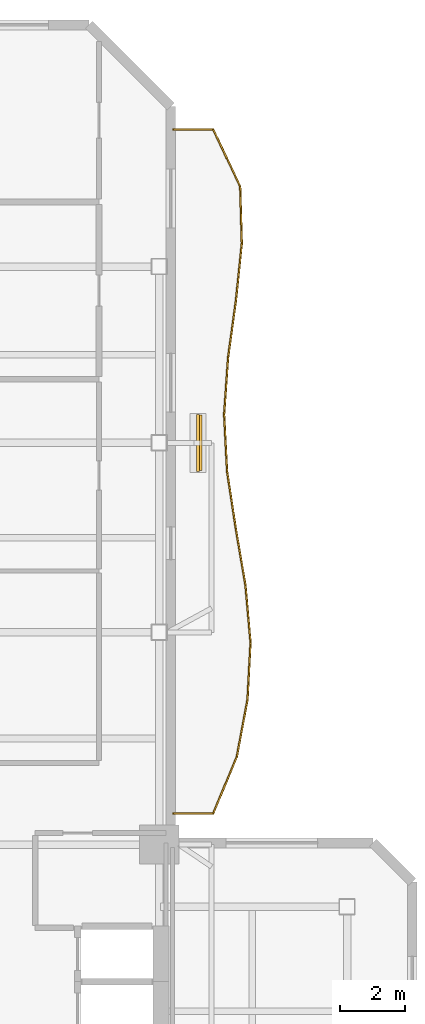
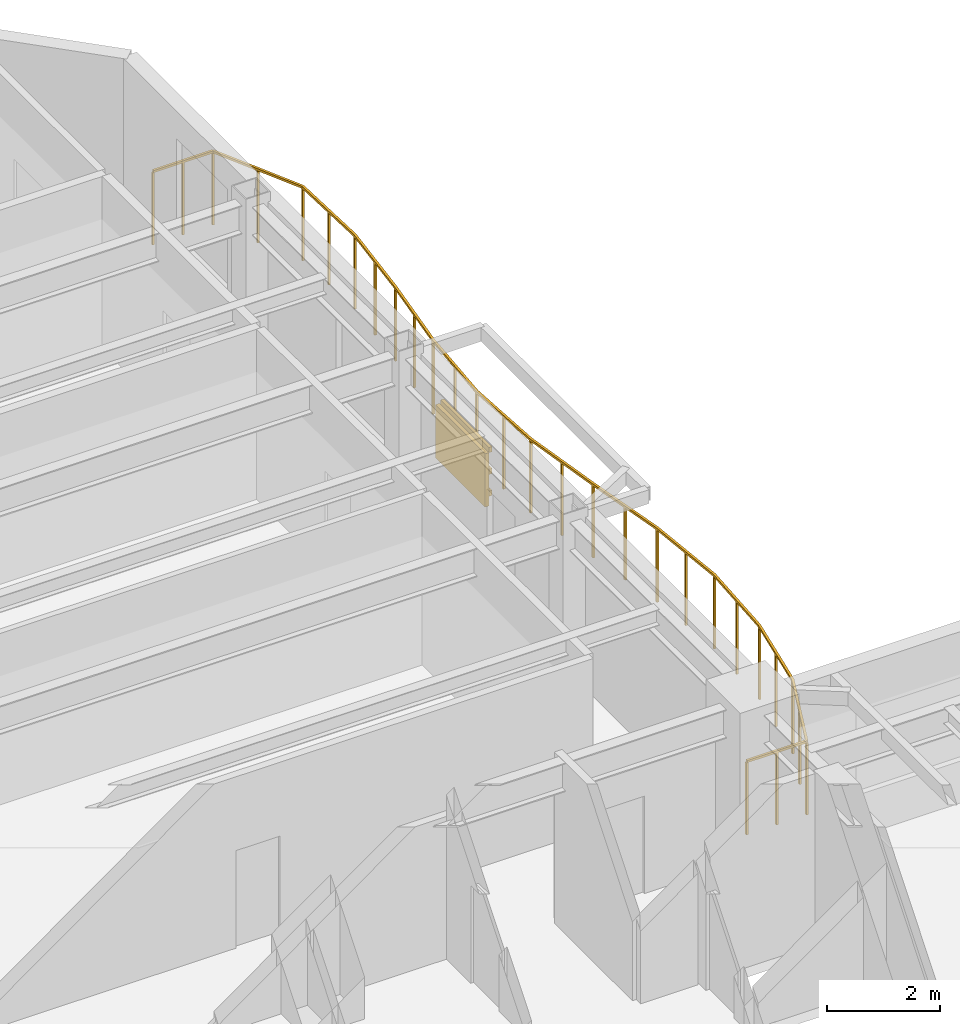
# One storey, part 9 of 9: 4 shading devices, 1 railing.
"""IFC4 building model written with IfcOpenShell, lengths in metres."""

from ifc_helpers import new_model, si_unit, direction, frame, origin, origin_2d, place, context, subcontext, project, spatial, rectangle, extrude, material, layer, layer_set, material_profile, profile_set, type_object, element, save


model = new_model("IFC4")

# Units and contexts
model_context = context("Model", 3, precision=1e-05, world=origin(), true_north=direction((0.0, 1.0)))
body_context = subcontext(model_context, "Body", "Model", "MODEL_VIEW")
ifc_project = project(units=[si_unit("LENGTHUNIT", "METRE"), si_unit("AREAUNIT", "SQUARE_METRE"), si_unit("VOLUMEUNIT", "CUBIC_METRE"), si_unit("PLANEANGLEUNIT", "RADIAN"), si_unit("MASSUNIT", "GRAM", prefix="KILO")], contexts=[model_context])

# Site, building, storey
site_placement = place(None, origin())
site = spatial("IfcSite", under=ifc_project, at=site_placement, CompositionType="ELEMENT")
building_placement = place(site_placement, origin())
building = spatial("IfcBuilding", under=site, at=building_placement, Name="Mawjaban Terraces University", CompositionType="ELEMENT")
storey_placement = place(building_placement, frame((0.0, 0.0, 154.10009765625)))
storey = spatial("IfcBuildingStorey", under=building, at=storey_placement, Name="L37", CompositionType="ELEMENT", Elevation=154.10009765625)

# Railing
ifc_material_1 = material(Name="Galvanised powder-coated steel S355", Category="steel")
railing_type = type_object("IfcRailingType", Name="BalconyBalustrade_1600", PredefinedType="BALUSTRADE", material=ifc_material_1)
railing_placement = place(storey_placement, frame((38.080078125, 24.449951171875, 0.0)))
element("IfcRailing", 1, at=railing_placement, inside=storey, type_object=railing_type, Name="L37 Balcony Guardrail inner_east", PredefinedType="BALUSTRADE", context=body_context, shape_type="SweptSolid", body=[
    extrude(rectangle(XDim=0.048095703125, YDim=0.048095703125, at=origin_2d()), frame((0.0, 0.0, 1.576171875), z_axis=(1.0, 0.0, 0.0), x_axis=(0.0, 1.0, 0.0)), (0.0, 0.0, 1.0), 1.219970703125),
    extrude(rectangle(XDim=0.048095703125, YDim=0.048095703125, at=origin_2d()), frame((1.219970703125, 0.0, 1.576171875), z_axis=(0.383404690816, 0.92358044753, 0.0), x_axis=(-0.92358044753, 0.383404690816, 0.0)), (0.0, 0.0, 1.0), 1.890625),
    extrude(rectangle(XDim=0.048095703125, YDim=0.048095703125, at=origin_2d()), frame((1.94482421875, 1.74609375, 1.576171875), z_axis=(0.183649426798, 0.982991804664, 0.0), x_axis=(-0.982991804664, 0.183649426798, 0.0)), (0.0, 0.0, 1.0), 1.776123046875),
    extrude(rectangle(XDim=0.048095703125, YDim=0.048095703125, at=origin_2d()), frame((2.27099609375, 3.491943359375, 1.576171875), z_axis=(0.053196382923, 0.998584069993, 0.0), x_axis=(-0.998584069993, 0.053196382923, 0.0)), (0.0, 0.0, 1.0), 1.74853515625),
    extrude(rectangle(XDim=0.048095703125, YDim=0.048095703125, at=origin_2d()), frame((2.364013671875, 5.238037109375, 1.576171875), z_axis=(-0.088487559333, 0.996077282064, 0.0), x_axis=(-0.996077282064, -0.088487559333, 0.0)), (0.0, 0.0, 1.0), 1.751953125),
    extrude(rectangle(XDim=0.048095703125, YDim=0.048095703125, at=origin_2d()), frame((2.208984375, 6.983154296875, 1.576171875), z_axis=(-0.167773692862, 0.985825536281, 0.0), x_axis=(-0.985825536281, -0.167773692862, 0.0)), (0.0, 0.0, 1.0), 1.77099609375),
    extrude(rectangle(XDim=0.048095703125, YDim=0.048095703125, at=origin_2d()), frame((1.911865234375, 8.72900390625, 1.576171875), z_axis=(-0.150530104658, 0.988605425633, 0.0), x_axis=(-0.988605425633, -0.150530104658, 0.0)), (0.0, 0.0, 1.0), 1.76611328125),
    extrude(rectangle(XDim=0.048095703125, YDim=0.048095703125, at=origin_2d()), frame((1.64599609375, 10.47509765625, 1.576171875), z_axis=(-0.052089724301, 0.998642408784, 0.0), x_axis=(-0.998642408784, -0.052089724301, 0.0)), (0.0, 0.0, 1.0), 1.748291015625),
    extrude(rectangle(XDim=0.048095703125, YDim=0.048095703125, at=origin_2d()), frame((1.554931640625, 12.220947265625, 1.576171875), z_axis=(0.069740295124, 0.997565181447, 0.0), x_axis=(-0.997565181447, 0.069740295124, 0.0)), (0.0, 0.0, 1.0), 1.750244140625),
    extrude(rectangle(XDim=0.048095703125, YDim=0.048095703125, at=origin_2d()), frame((1.677001953125, 13.967041015625, 1.576171875), z_axis=(0.136238743925, 0.990676034157, 0.0), x_axis=(-0.990676034157, 0.136238743925, 0.0)), (0.0, 0.0, 1.0), 1.761474609375),
    extrude(rectangle(XDim=0.048095703125, YDim=0.048095703125, at=origin_2d()), frame((1.9169921875, 15.712158203125, 1.576171875), z_axis=(0.102519472147, 0.994730997723, 0.0), x_axis=(-0.994730997723, 0.102519472147, 0.0)), (0.0, 0.0, 1.0), 1.755126953125),
    extrude(rectangle(XDim=0.048095703125, YDim=0.048095703125, at=origin_2d()), frame((2.096923828125, 17.4580078125, 1.576171875), z_axis=(-0.029210125599, 0.999573293242, 0.0), x_axis=(-0.999573293242, -0.029210125599, 0.0)), (0.0, 0.0, 1.0), 1.746826171875),
    extrude(rectangle(XDim=0.048095703125, YDim=0.048095703125, at=origin_2d()), frame((2.0458984375, 19.2041015625, 1.576171875), z_axis=(-0.427640716253, 0.903948791582, 0.0), x_axis=(-0.903948791582, -0.427640716253, 0.0)), (0.0, 0.0, 1.0), 1.931396484375),
    extrude(rectangle(XDim=0.048095703125, YDim=0.048095703125, at=origin_2d()), frame((1.219970703125, 20.949951171875, 1.576171875), z_axis=(-1.0, 0.0, 0.0), x_axis=(0.0, -1.0, 0.0)), (0.0, 0.0, 1.0), 1.219970703125),
    extrude(rectangle(XDim=0.0419921875, YDim=0.0419921875, at=origin_2d()), origin(), (0.0, 0.0, 1.0), 1.552001953125),
    extrude(rectangle(XDim=0.0419921875, YDim=0.0419921875, at=origin_2d()), frame((0.60986328125, 0.0, 0.0)), (0.0, 0.0, 1.0), 1.552001953125),
    extrude(rectangle(XDim=0.0419921875, YDim=0.0419921875, at=origin_2d()), frame((1.219970703125, 0.0, 0.0)), (0.0, 0.0, 1.0), 1.552001953125),
    extrude(rectangle(XDim=0.0419921875, YDim=0.0419921875, at=origin_2d()), frame((1.58251953125, 0.873046875, 0.0)), (0.0, 0.0, 1.0), 1.552001953125),
    extrude(rectangle(XDim=0.0419921875, YDim=0.0419921875, at=origin_2d()), frame((1.94482421875, 1.74609375, 0.0)), (0.0, 0.0, 1.0), 1.552001953125),
    extrude(rectangle(XDim=0.0419921875, YDim=0.0419921875, at=origin_2d()), frame((2.10791015625, 2.619140625, 0.0)), (0.0, 0.0, 1.0), 1.552001953125),
    extrude(rectangle(XDim=0.0419921875, YDim=0.0419921875, at=origin_2d()), frame((2.27099609375, 3.491943359375, 0.0)), (0.0, 0.0, 1.0), 1.552001953125),
    extrude(rectangle(XDim=0.0419921875, YDim=0.0419921875, at=origin_2d()), frame((2.3173828125, 4.364990234375, 0.0)), (0.0, 0.0, 1.0), 1.552001953125),
    extrude(rectangle(XDim=0.0419921875, YDim=0.0419921875, at=origin_2d()), frame((2.364013671875, 5.238037109375, 0.0)), (0.0, 0.0, 1.0), 1.552001953125),
    extrude(rectangle(XDim=0.0419921875, YDim=0.0419921875, at=origin_2d()), frame((2.28662109375, 6.110595703125, 0.0)), (0.0, 0.0, 1.0), 1.552001953125),
    extrude(rectangle(XDim=0.0419921875, YDim=0.0419921875, at=origin_2d()), frame((2.208984375, 6.983154296875, 0.0)), (0.0, 0.0, 1.0), 1.552001953125),
    extrude(rectangle(XDim=0.0419921875, YDim=0.0419921875, at=origin_2d()), frame((2.060546875, 7.85595703125, 0.0)), (0.0, 0.0, 1.0), 1.552001953125),
    extrude(rectangle(XDim=0.0419921875, YDim=0.0419921875, at=origin_2d()), frame((1.911865234375, 8.72900390625, 0.0)), (0.0, 0.0, 1.0), 1.552001953125),
    extrude(rectangle(XDim=0.0419921875, YDim=0.0419921875, at=origin_2d()), frame((1.77880859375, 9.60205078125, 0.0)), (0.0, 0.0, 1.0), 1.552001953125),
    extrude(rectangle(XDim=0.0419921875, YDim=0.0419921875, at=origin_2d()), frame((1.64599609375, 10.47509765625, 0.0)), (0.0, 0.0, 1.0), 1.552001953125),
    extrude(rectangle(XDim=0.0419921875, YDim=0.0419921875, at=origin_2d()), frame((1.6005859375, 11.34814453125, 0.0)), (0.0, 0.0, 1.0), 1.552001953125),
    extrude(rectangle(XDim=0.0419921875, YDim=0.0419921875, at=origin_2d()), frame((1.554931640625, 12.220947265625, 0.0)), (0.0, 0.0, 1.0), 1.552001953125),
    extrude(rectangle(XDim=0.0419921875, YDim=0.0419921875, at=origin_2d()), frame((1.615966796875, 13.093994140625, 0.0)), (0.0, 0.0, 1.0), 1.552001953125),
    extrude(rectangle(XDim=0.0419921875, YDim=0.0419921875, at=origin_2d()), frame((1.677001953125, 13.967041015625, 0.0)), (0.0, 0.0, 1.0), 1.552001953125),
    extrude(rectangle(XDim=0.0419921875, YDim=0.0419921875, at=origin_2d()), frame((1.796875, 14.839599609375, 0.0)), (0.0, 0.0, 1.0), 1.552001953125),
    extrude(rectangle(XDim=0.0419921875, YDim=0.0419921875, at=origin_2d()), frame((1.9169921875, 15.712158203125, 0.0)), (0.0, 0.0, 1.0), 1.552001953125),
    extrude(rectangle(XDim=0.0419921875, YDim=0.0419921875, at=origin_2d()), frame((2.0068359375, 16.5849609375, 0.0)), (0.0, 0.0, 1.0), 1.552001953125),
    extrude(rectangle(XDim=0.0419921875, YDim=0.0419921875, at=origin_2d()), frame((2.096923828125, 17.4580078125, 0.0)), (0.0, 0.0, 1.0), 1.552001953125),
    extrude(rectangle(XDim=0.0419921875, YDim=0.0419921875, at=origin_2d()), frame((2.0712890625, 18.3310546875, 0.0)), (0.0, 0.0, 1.0), 1.552001953125),
    extrude(rectangle(XDim=0.0419921875, YDim=0.0419921875, at=origin_2d()), frame((2.0458984375, 19.2041015625, 0.0)), (0.0, 0.0, 1.0), 1.552001953125),
    extrude(rectangle(XDim=0.0419921875, YDim=0.0419921875, at=origin_2d()), frame((1.6328125, 20.0771484375, 0.0)), (0.0, 0.0, 1.0), 1.552001953125),
    extrude(rectangle(XDim=0.0419921875, YDim=0.0419921875, at=origin_2d()), frame((1.219970703125, 20.949951171875, 0.0)), (0.0, 0.0, 1.0), 1.552001953125),
    extrude(rectangle(XDim=0.0419921875, YDim=0.0419921875, at=origin_2d()), frame((0.60986328125, 20.949951171875, 0.0)), (0.0, 0.0, 1.0), 1.552001953125),
    extrude(rectangle(XDim=0.0419921875, YDim=0.0419921875, at=origin_2d()), frame((0.0, 20.949951171875, 0.0)), (0.0, 0.0, 1.0), 1.552001953125),
])

# Shading devices
ifc_material_2 = material(Name="Glazed architectural terracotta ceramic", Category="masonry")
ifc_material_profile = material_profile(ifc_material_2, rectangle(XDim=0.06494140625, YDim=0.110107421875, at=origin_2d()), Name="TBAG110X65")
ifc_profile_set = profile_set([ifc_material_profile], Name="Glazed architectural terracotta ceramic")
shading_device_type_1 = type_object("IfcShadingDeviceType", Name="TerracottaBaguette_110x65", PredefinedType="USERDEFINED", material=ifc_profile_set)
for number, where, z_axis, x_axis, name in (
    (2, (38.919921875, 34.947998046875, 0.679931640625), (0.0, 1.0, 0.0), (-1.0, 0.0, 0.0), "L37 Horizontal Terracotta Baguette inner_east.1"),
    (3, (38.919921875, 34.947998046875, 1.14990234375), (0.0, 1.0, 0.0), (-1.0, 0.0, 0.0), "L37 Horizontal Terracotta Baguette inner_east.2"),
    (4, (38.919921875, 34.947998046875, 1.619873046875), (0.0, 1.0, 0.0), (-1.0, 0.0, 0.0), "L37 Horizontal Terracotta Baguette inner_east.3"),
):
    element("IfcShadingDevice", number, at=place(storey_placement, frame(where, z_axis=z_axis, x_axis=x_axis)), inside=storey, type_object=shading_device_type_1, Name=name, ObjectType="BAGUETTE", PredefinedType="USERDEFINED", context=body_context, shape_type="SweptSolid", body=[
        extrude(rectangle(XDim=0.06494140625, YDim=0.110107421875, at=origin_2d()), origin(), (0.0, 0.0, 1.0), 1.699951171875),
    ])
ifc_layer = layer(ifc_material_2, 0.080078125)
ifc_layer_set = layer_set([ifc_layer], Name="Glazed architectural terracotta ceramic")
shading_device_type_2 = type_object("IfcShadingDeviceType", Name="TerracottaScreen_Perforated", PredefinedType="USERDEFINED", material=ifc_layer_set)
shading_device_placement = place(storey_placement, frame((38.8349609375, 35.798095703125, 0.43994140625), z_axis=(0.0, 0.0, 1.0), x_axis=(0.0, 1.0, 0.0)))
element("IfcShadingDevice", 5, at=shading_device_placement, inside=storey, type_object=shading_device_type_2, Name="L37 Balcony Perforated Terracotta Screen inner_east", ObjectType="SCREEN", PredefinedType="USERDEFINED", context=body_context, shape_type="SweptSolid", body=[
    extrude(rectangle(XDim=1.75, YDim=0.080078125, at=origin_2d()), origin(), (0.0, 0.0, 1.0), 1.14990234375),
])

save(model, "model.ifc")
